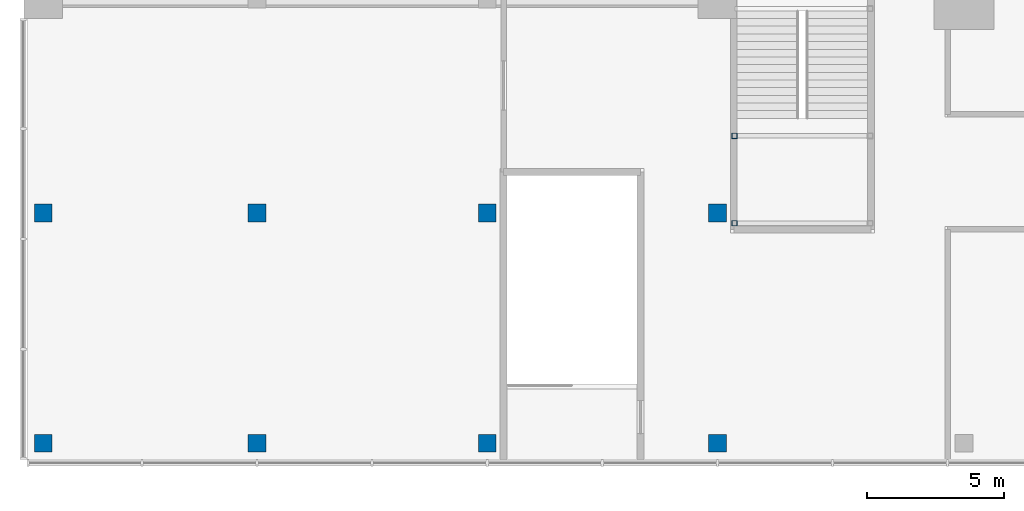
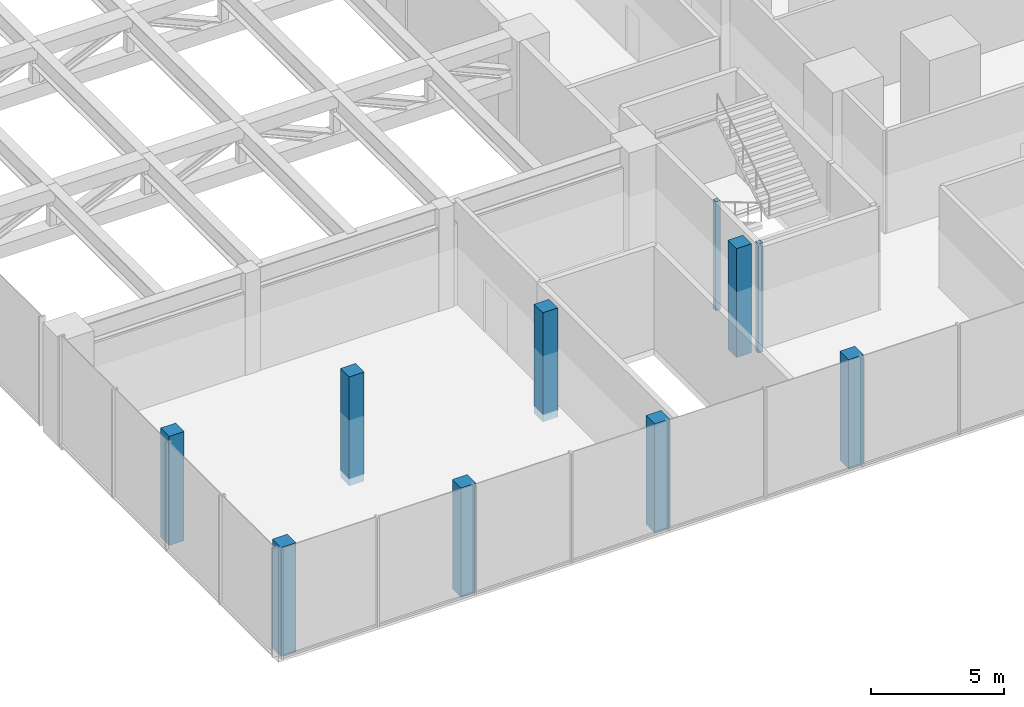
# One storey, part 1 of 33: 10 columns.
"""IFC4 building model written with IfcOpenShell, lengths in metres."""

from ifc_helpers import new_model, si_unit, direction, frame, origin, origin_2d, place, context, subcontext, project, spatial, rectangle, hollow_rectangle, extrude, material, material_profile, profile_set, type_object, element, save


model = new_model("IFC4")

# Units and contexts
model_context = context("Model", 3, precision=1e-05, world=origin(), true_north=direction((0.0, 1.0)))
body_context = subcontext(model_context, "Body", "Model", "MODEL_VIEW")
ifc_project = project(units=[si_unit("LENGTHUNIT", "METRE"), si_unit("AREAUNIT", "SQUARE_METRE"), si_unit("VOLUMEUNIT", "CUBIC_METRE"), si_unit("PLANEANGLEUNIT", "RADIAN"), si_unit("MASSUNIT", "GRAM", prefix="KILO")], contexts=[model_context])

# Site, building, storey
site_placement = place(None, origin())
site = spatial("IfcSite", under=ifc_project, at=site_placement, CompositionType="ELEMENT")
building_placement = place(site_placement, origin())
building = spatial("IfcBuilding", under=site, at=building_placement, Name="Dunama Terrace Hotel", CompositionType="ELEMENT")
storey_placement = place(building_placement, frame((0.0, 0.0, 12.0)))
storey = spatial("IfcBuildingStorey", under=building, at=storey_placement, Name="L02", CompositionType="ELEMENT", Elevation=12.0)

# Columns
ifc_material_1 = material(Name="Concrete C40/50", Category="concrete")
ifc_material_profile_1 = material_profile(ifc_material_1, rectangle(XDim=0.64990234375, YDim=0.64990234375, at=origin_2d()), Name="RC 650x650")
ifc_profile_set_1 = profile_set([ifc_material_profile_1], Name="Concrete C40/50")
column_type_1 = type_object("IfcColumnType", Name="Column RC 650x650", PredefinedType="COLUMN", material=ifc_profile_set_1)
for number, where, z_axis, x_axis, name in (
    (1, (-33.0, -7.800048828125, -0.300048828125), (0.0, 0.0, 1.0), (1.0, 0.0, 0.0), "Column L02 -33.0/-7.8"),
    (2, (-33.0, 0.60009765625, -0.300048828125), (0.0, 0.0, 1.0), (1.0, 0.0, 0.0), "Column L02 -33.0/+0.6"),
    (3, (-25.199951171875, -7.800048828125, -0.300048828125), (0.0, 0.0, 1.0), (1.0, 0.0, 0.0), "Column L02 -25.2/-7.8"),
    (4, (-25.199951171875, 0.60009765625, -0.300048828125), (0.0, 0.0, 1.0), (1.0, 0.0, 0.0), "Column L02 -25.2/+0.6"),
    (5, (-16.800048828125, -7.800048828125, -0.300048828125), (0.0, 0.0, 1.0), (1.0, 0.0, 0.0), "Column L02 -16.8/-7.8"),
    (6, (-16.800048828125, 0.60009765625, -0.300048828125), (0.0, 0.0, 1.0), (1.0, 0.0, 0.0), "Column L02 -16.8/+0.6"),
    (7, (-8.39990234375, -7.800048828125, -0.300048828125), (0.0, 0.0, 1.0), (1.0, 0.0, 0.0), "Column L02 -8.4/-7.8"),
    (8, (-8.39990234375, 0.60009765625, -0.300048828125), (0.0, 0.0, 1.0), (1.0, 0.0, 0.0), "Column L02 -8.4/+0.6"),
):
    element("IfcColumn", number, at=place(storey_placement, frame(where, z_axis=z_axis, x_axis=x_axis)), inside=storey, type_object=column_type_1, Name=name, PredefinedType="COLUMN", context=body_context, shape_type="SweptSolid", body=[
        extrude(rectangle(XDim=0.64990234375, YDim=0.64990234375, at=origin_2d()), origin(), (0.0, 0.0, 1.0), 5.0),
    ])
ifc_material_2 = material(Name="Steel S355", Category="steel")
ifc_material_profile_2 = material_profile(ifc_material_2, hollow_rectangle(XDim=0.199951171875, YDim=0.199951171875, WallThickness=0.010009765625, at=origin_2d()), Name="SHS 200x200x10")
ifc_profile_set_2 = profile_set([ifc_material_profile_2], Name="Steel S355")
column_type_2 = type_object("IfcColumnType", Name="Stair post SHS 200x200x10", PredefinedType="COLUMN", material=ifc_profile_set_2)
for number, where, z_axis, x_axis, name in (
    (9, (-7.77490234375, 3.41259765625, -0.300048828125), (0.0, 0.0, 1.0), (1.0, 0.0, 0.0), "Stair post P4 L02 -7.78/+3.41"),
    (10, (-7.77490234375, 0.22509765625, -0.300048828125), (0.0, 0.0, 1.0), (1.0, 0.0, 0.0), "Stair post P4 L02 -7.78/+0.23"),
):
    element("IfcColumn", number, at=place(storey_placement, frame(where, z_axis=z_axis, x_axis=x_axis)), inside=storey, type_object=column_type_2, Name=name, PredefinedType="COLUMN", context=body_context, shape_type="SweptSolid", body=[
        extrude(hollow_rectangle(XDim=0.199951171875, YDim=0.199951171875, WallThickness=0.010009765625, at=origin_2d()), origin(), (0.0, 0.0, 1.0), 5.0),
    ])

save(model, "model.ifc")
